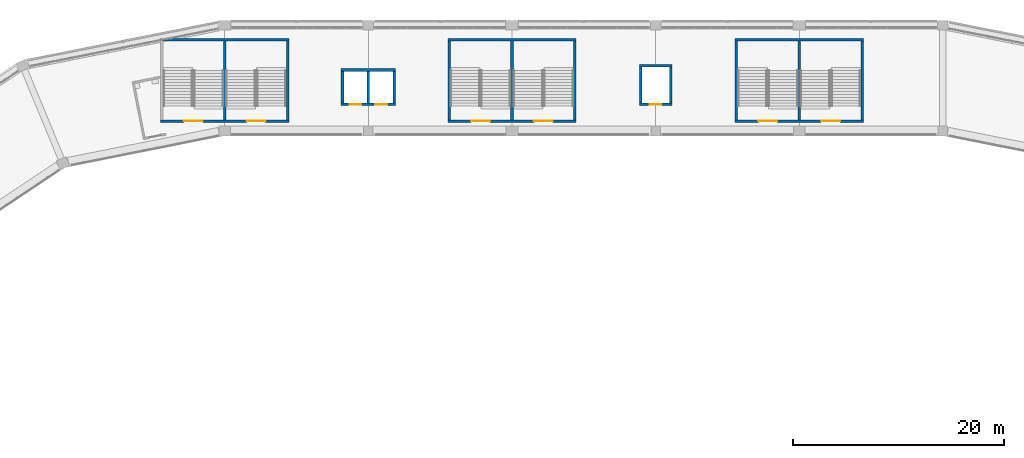
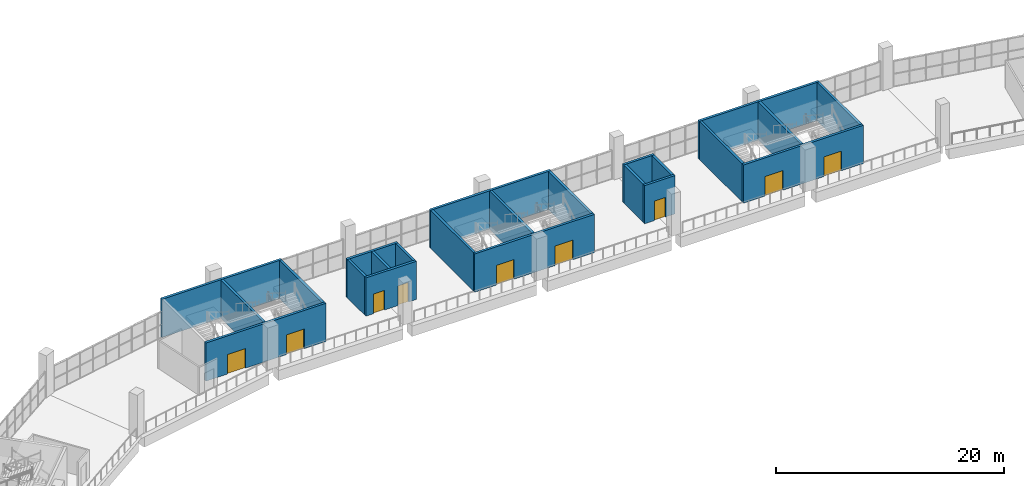
# One storey, part 67 of 177: 23 walls, 9 doors, 9 openings.
"""IFC4 building model written with IfcOpenShell, lengths in metres."""

from ifc_helpers import new_model, si_unit, direction, frame, frame_2d, origin, place, context, subcontext, project, spatial, rectangle, extrude, material, layer, layer_set, type_object, element, fill, save


model = new_model("IFC4")

# Units and contexts
model_context = context("Model", 3, precision=1e-05, world=origin(), true_north=direction((0.0, 1.0)))
body_context = subcontext(model_context, "Body", "Model", "MODEL_VIEW")
ifc_project = project(units=[si_unit("LENGTHUNIT", "METRE"), si_unit("AREAUNIT", "SQUARE_METRE"), si_unit("VOLUMEUNIT", "CUBIC_METRE"), si_unit("PLANEANGLEUNIT", "RADIAN"), si_unit("MASSUNIT", "GRAM", prefix="KILO")], contexts=[model_context])

# Site, building, storey
site_placement = place(None, origin())
site = spatial("IfcSite", under=ifc_project, at=site_placement, CompositionType="ELEMENT")
building_placement = place(site_placement, origin())
building = spatial("IfcBuilding", under=site, at=building_placement, Name="Ogive Plaza Stadium", CompositionType="ELEMENT")
storey_placement = place(building_placement, frame((0.0, 0.0, 18.0)))
storey = spatial("IfcBuildingStorey", under=building, at=storey_placement, Name="L04", CompositionType="ELEMENT", Elevation=18.0)

# Wall, openings, doors
ifc_material_1 = material(Name="Concrete C40/50", Category="concrete")
ifc_layer = layer(ifc_material_1, 0.25)
ifc_layer_set = layer_set([ifc_layer], Name="Concrete C40/50")
wall_type = type_object("IfcWallType", Name="Core wall 250", PredefinedType="SHEAR", material=ifc_layer_set)
wall_1_placement = place(storey_placement, frame((-27.925048828125, 93.425048828125, 0.0), z_axis=(0.0, 0.0, 1.0), x_axis=(-1.0, 0.0, 0.0)))
wall_1 = element("IfcWall", 1, at=wall_1_placement, inside=storey, type_object=wall_type, Name="Stair core R32 inner wall", PredefinedType="SHEAR", context=body_context, shape_type="SweptSolid", body=[
    extrude(rectangle(XDim=12.14990234375, YDim=0.25, at=frame_2d((6.074951171875, 0.0))), origin(), (0.0, 0.0, 1.0), 4.090087890625),
])
opening_1_placement = place(wall_1_placement, frame((2.199951171875, 0.0, 0.0)))
opening_1 = element("IfcOpeningElement", 2, at=opening_1_placement, cuts=wall_1, Name="Opening D0243", PredefinedType="OPENING", context=body_context, shape_type="SweptSolid", body=[
    extrude(rectangle(XDim=1.800048828125, YDim=2.10009765625, at=frame_2d((0.89990234375, 1.050048828125))), frame((0.0, 0.125, 0.0), z_axis=(0.0, -1.0, 0.0), x_axis=(1.0, 0.0, 0.0)), (0.0, 0.0, 1.0), 0.25),
])
opening_2_placement = place(wall_1_placement, frame((8.14990234375, 0.0, 0.0)))
opening_2 = element("IfcOpeningElement", 3, at=opening_2_placement, cuts=wall_1, Name="Opening D0244", PredefinedType="OPENING", context=body_context, shape_type="SweptSolid", body=[
    extrude(rectangle(XDim=1.800048828125, YDim=2.10009765625, at=frame_2d((0.89990234375, 1.050048828125))), frame((0.0, 0.125, 0.0), z_axis=(0.0, -1.0, 0.0), x_axis=(1.0, 0.0, 0.0)), (0.0, 0.0, 1.0), 0.25),
])
ifc_material_2 = material(Name="Steel ASTM A572 Grade 50", Category="steel")
door_type_1 = type_object("IfcDoorType", Name="Fire door FD90 pair 1800 x 2100", OperationType="DOUBLE_DOOR_SINGLE_SWING", PredefinedType="DOOR", material=ifc_material_2)
door_1_placement = place(opening_1_placement, origin())
door_1 = element("IfcDoor", 4, at=door_1_placement, inside=storey, type_object=door_type_1, Name="Exit stair R32A door L04", OperationType="DOUBLE_DOOR_SINGLE_SWING", OverallHeight=2.10009765625, OverallWidth=1.800048828125, PredefinedType="DOOR", context=body_context, shape_type="SweptSolid", body=[
    extrude(rectangle(XDim=1.800048828125, YDim=2.10009765625, at=frame_2d((0.89990234375, 1.050048828125))), frame((0.0, 0.02490234375, 0.0), z_axis=(0.0, -1.0, 0.0), x_axis=(1.0, 0.0, 0.0)), (0.0, 0.0, 1.0), 0.050048828125),
])
fill(opening_1, door_1)
door_2_placement = place(opening_2_placement, origin())
door_2 = element("IfcDoor", 5, at=door_2_placement, inside=storey, type_object=door_type_1, Name="Exit stair R32B door L04", OperationType="DOUBLE_DOOR_SINGLE_SWING", OverallHeight=2.10009765625, OverallWidth=1.800048828125, PredefinedType="DOOR", context=body_context, shape_type="SweptSolid", body=[
    extrude(rectangle(XDim=1.800048828125, YDim=2.10009765625, at=frame_2d((0.89990234375, 1.050048828125))), frame((0.0, 0.02490234375, 0.0), z_axis=(0.0, -1.0, 0.0), x_axis=(1.0, 0.0, 0.0)), (0.0, 0.0, 1.0), 0.050048828125),
])
fill(opening_2, door_2)

# Walls
wall_2_placement = place(storey_placement, frame((-27.925048828125, 101.135009765625, 0.0), z_axis=(0.0, 0.0, 1.0), x_axis=(-1.0, 0.0, 0.0)))
element("IfcWall", 6, at=wall_2_placement, inside=storey, type_object=wall_type, Name="Stair core R32 outer wall", PredefinedType="SHEAR", context=body_context, shape_type="SweptSolid", body=[
    extrude(rectangle(XDim=12.14990234375, YDim=0.25, at=frame_2d((6.074951171875, 0.0))), origin(), (0.0, 0.0, 1.0), 4.090087890625),
])
for number, where, z_axis, x_axis, name in (
    (7, (-28.050048828125, 93.550048828125, 0.0), (0.0, 0.0, 1.0), (0.0, 1.0, 0.0), "Stair core R32 side wall"),
    (8, (-34.0, 93.550048828125, 0.0), (0.0, 0.0, 1.0), (0.0, 1.0, 0.0), "Stair core R32 centre wall"),
):
    element("IfcWall", number, at=place(storey_placement, frame(where, z_axis=z_axis, x_axis=x_axis)), inside=storey, type_object=wall_type, Name=name, PredefinedType="SHEAR", context=body_context, shape_type="SweptSolid", body=[
        extrude(rectangle(XDim=7.4599609375, YDim=0.25, at=frame_2d((3.72998046875, 0.0))), origin(), (0.0, 0.0, 1.0), 4.090087890625),
    ])

# Wall, openings, doors
wall_3_placement = place(storey_placement, frame((-0.72509765625, 93.425048828125, 0.0), z_axis=(0.0, 0.0, 1.0), x_axis=(-1.0, 0.0, 0.0)))
wall_3 = element("IfcWall", 9, at=wall_3_placement, inside=storey, type_object=wall_type, Name="Stair core R34 inner wall", PredefinedType="SHEAR", context=body_context, shape_type="SweptSolid", body=[
    extrude(rectangle(XDim=12.14990234375, YDim=0.25, at=frame_2d((6.074951171875, 0.0))), origin(), (0.0, 0.0, 1.0), 4.090087890625),
])
opening_3_placement = place(wall_3_placement, frame((2.199951171875, 0.0, 0.0)))
opening_3 = element("IfcOpeningElement", 10, at=opening_3_placement, cuts=wall_3, Name="Opening D0255", PredefinedType="OPENING", context=body_context, shape_type="SweptSolid", body=[
    extrude(rectangle(XDim=1.800048828125, YDim=2.10009765625, at=frame_2d((0.89990234375, 1.050048828125))), frame((0.0, 0.125, 0.0), z_axis=(0.0, -1.0, 0.0), x_axis=(1.0, 0.0, 0.0)), (0.0, 0.0, 1.0), 0.25),
])
opening_4_placement = place(wall_3_placement, frame((8.14990234375, 0.0, 0.0)))
opening_4 = element("IfcOpeningElement", 11, at=opening_4_placement, cuts=wall_3, Name="Opening D0256", PredefinedType="OPENING", context=body_context, shape_type="SweptSolid", body=[
    extrude(rectangle(XDim=1.800048828125, YDim=2.10009765625, at=frame_2d((0.89990234375, 1.050048828125))), frame((0.0, 0.125, 0.0), z_axis=(0.0, -1.0, 0.0), x_axis=(1.0, 0.0, 0.0)), (0.0, 0.0, 1.0), 0.25),
])
door_3_placement = place(opening_3_placement, origin())
door_3 = element("IfcDoor", 12, at=door_3_placement, inside=storey, type_object=door_type_1, Name="Exit stair R34A door L04", OperationType="DOUBLE_DOOR_SINGLE_SWING", OverallHeight=2.10009765625, OverallWidth=1.800048828125, PredefinedType="DOOR", context=body_context, shape_type="SweptSolid", body=[
    extrude(rectangle(XDim=1.800048828125, YDim=2.10009765625, at=frame_2d((0.89990234375, 1.050048828125))), frame((0.0, 0.02490234375, 0.0), z_axis=(0.0, -1.0, 0.0), x_axis=(1.0, 0.0, 0.0)), (0.0, 0.0, 1.0), 0.050048828125),
])
fill(opening_3, door_3)
door_4_placement = place(opening_4_placement, origin())
door_4 = element("IfcDoor", 13, at=door_4_placement, inside=storey, type_object=door_type_1, Name="Exit stair R34B door L04", OperationType="DOUBLE_DOOR_SINGLE_SWING", OverallHeight=2.10009765625, OverallWidth=1.800048828125, PredefinedType="DOOR", context=body_context, shape_type="SweptSolid", body=[
    extrude(rectangle(XDim=1.800048828125, YDim=2.10009765625, at=frame_2d((0.89990234375, 1.050048828125))), frame((0.0, 0.02490234375, 0.0), z_axis=(0.0, -1.0, 0.0), x_axis=(1.0, 0.0, 0.0)), (0.0, 0.0, 1.0), 0.050048828125),
])
fill(opening_4, door_4)

# Walls
wall_4_placement = place(storey_placement, frame((-0.72509765625, 101.135009765625, 0.0), z_axis=(0.0, 0.0, 1.0), x_axis=(-1.0, 0.0, 0.0)))
element("IfcWall", 14, at=wall_4_placement, inside=storey, type_object=wall_type, Name="Stair core R34 outer wall", PredefinedType="SHEAR", context=body_context, shape_type="SweptSolid", body=[
    extrude(rectangle(XDim=12.14990234375, YDim=0.25, at=frame_2d((6.074951171875, 0.0))), origin(), (0.0, 0.0, 1.0), 4.090087890625),
])
for number, where, z_axis, x_axis, name in (
    (15, (-0.85009765625, 93.550048828125, 0.0), (0.0, 0.0, 1.0), (0.0, 1.0, 0.0), "Stair core R34 side wall"),
    (16, (-12.75, 93.550048828125, 0.0), (0.0, 0.0, 1.0), (0.0, 1.0, 0.0), "Stair core R34 side wall"),
    (17, (-6.800048828125, 93.550048828125, 0.0), (0.0, 0.0, 1.0), (0.0, 1.0, 0.0), "Stair core R34 centre wall"),
):
    element("IfcWall", number, at=place(storey_placement, frame(where, z_axis=z_axis, x_axis=x_axis)), inside=storey, type_object=wall_type, Name=name, PredefinedType="SHEAR", context=body_context, shape_type="SweptSolid", body=[
        extrude(rectangle(XDim=7.4599609375, YDim=0.25, at=frame_2d((3.72998046875, 0.0))), origin(), (0.0, 0.0, 1.0), 4.090087890625),
    ])

# Wall, openings, doors
wall_5_placement = place(storey_placement, frame((26.47509765625, 93.425048828125, 0.0), z_axis=(0.0, 0.0, 1.0), x_axis=(-1.0, 0.0, 0.0)))
wall_5 = element("IfcWall", 18, at=wall_5_placement, inside=storey, type_object=wall_type, Name="Stair core R36 inner wall", PredefinedType="SHEAR", context=body_context, shape_type="SweptSolid", body=[
    extrude(rectangle(XDim=12.150146484375, YDim=0.25, at=frame_2d((6.0751953125, 0.0))), origin(), (0.0, 0.0, 1.0), 4.090087890625),
])
opening_5_placement = place(wall_5_placement, frame((2.199951171875, 0.0, 0.0)))
opening_5 = element("IfcOpeningElement", 19, at=opening_5_placement, cuts=wall_5, Name="Opening D0269", PredefinedType="OPENING", context=body_context, shape_type="SweptSolid", body=[
    extrude(rectangle(XDim=1.800048828125, YDim=2.10009765625, at=frame_2d((0.89990234375, 1.050048828125))), frame((0.0, 0.125, 0.0), z_axis=(0.0, -1.0, 0.0), x_axis=(1.0, 0.0, 0.0)), (0.0, 0.0, 1.0), 0.25),
])
opening_6_placement = place(wall_5_placement, frame((8.14990234375, 0.0, 0.0)))
opening_6 = element("IfcOpeningElement", 20, at=opening_6_placement, cuts=wall_5, Name="Opening D0270", PredefinedType="OPENING", context=body_context, shape_type="SweptSolid", body=[
    extrude(rectangle(XDim=1.800048828125, YDim=2.10009765625, at=frame_2d((0.89990234375, 1.050048828125))), frame((0.0, 0.125, 0.0), z_axis=(0.0, -1.0, 0.0), x_axis=(1.0, 0.0, 0.0)), (0.0, 0.0, 1.0), 0.25),
])
door_5_placement = place(opening_5_placement, origin())
door_5 = element("IfcDoor", 21, at=door_5_placement, inside=storey, type_object=door_type_1, Name="Exit stair R36A door L04", OperationType="DOUBLE_DOOR_SINGLE_SWING", OverallHeight=2.10009765625, OverallWidth=1.800048828125, PredefinedType="DOOR", context=body_context, shape_type="SweptSolid", body=[
    extrude(rectangle(XDim=1.800048828125, YDim=2.10009765625, at=frame_2d((0.89990234375, 1.050048828125))), frame((0.0, 0.02490234375, 0.0), z_axis=(0.0, -1.0, 0.0), x_axis=(1.0, 0.0, 0.0)), (0.0, 0.0, 1.0), 0.050048828125),
])
fill(opening_5, door_5)
door_6_placement = place(opening_6_placement, origin())
door_6 = element("IfcDoor", 22, at=door_6_placement, inside=storey, type_object=door_type_1, Name="Exit stair R36B door L04", OperationType="DOUBLE_DOOR_SINGLE_SWING", OverallHeight=2.10009765625, OverallWidth=1.800048828125, PredefinedType="DOOR", context=body_context, shape_type="SweptSolid", body=[
    extrude(rectangle(XDim=1.800048828125, YDim=2.10009765625, at=frame_2d((0.89990234375, 1.050048828125))), frame((0.0, 0.02490234375, 0.0), z_axis=(0.0, -1.0, 0.0), x_axis=(1.0, 0.0, 0.0)), (0.0, 0.0, 1.0), 0.050048828125),
])
fill(opening_6, door_6)

# Walls
wall_6_placement = place(storey_placement, frame((26.47509765625, 101.135009765625, 0.0), z_axis=(0.0, 0.0, 1.0), x_axis=(-1.0, 0.0, 0.0)))
element("IfcWall", 23, at=wall_6_placement, inside=storey, type_object=wall_type, Name="Stair core R36 outer wall", PredefinedType="SHEAR", context=body_context, shape_type="SweptSolid", body=[
    extrude(rectangle(XDim=12.150146484375, YDim=0.25, at=frame_2d((6.0751953125, 0.0))), origin(), (0.0, 0.0, 1.0), 4.090087890625),
])
for number, where, z_axis, x_axis, name in (
    (24, (26.35009765625, 93.550048828125, 0.0), (0.0, 0.0, 1.0), (0.0, 1.0, 0.0), "Stair core R36 side wall"),
    (25, (14.449951171875, 93.550048828125, 0.0), (0.0, 0.0, 1.0), (0.0, 1.0, 0.0), "Stair core R36 side wall"),
    (26, (20.39990234375, 93.550048828125, 0.0), (0.0, 0.0, 1.0), (0.0, 1.0, 0.0), "Stair core R36 centre wall"),
):
    element("IfcWall", number, at=place(storey_placement, frame(where, z_axis=z_axis, x_axis=x_axis)), inside=storey, type_object=wall_type, Name=name, PredefinedType="SHEAR", context=body_context, shape_type="SweptSolid", body=[
        extrude(rectangle(XDim=7.4599609375, YDim=0.25, at=frame_2d((3.72998046875, 0.0))), origin(), (0.0, 0.0, 1.0), 4.090087890625),
    ])

# Wall, openings, doors
wall_7_placement = place(storey_placement, frame((-17.824951171875, 95.02490234375, 0.0), z_axis=(0.0, 0.0, 1.0), x_axis=(-1.0, 0.0, 0.0)))
wall_7 = element("IfcWall", 27, at=wall_7_placement, inside=storey, type_object=wall_type, Name="Lift core LP33 landing wall", PredefinedType="SHEAR", context=body_context, shape_type="SweptSolid", body=[
    extrude(rectangle(XDim=5.150146484375, YDim=0.25, at=frame_2d((2.5751953125, 0.0))), origin(), (0.0, 0.0, 1.0), 4.090087890625),
])
opening_7_placement = place(wall_7_placement, frame((0.800048828125, 0.0, 0.0)))
opening_7 = element("IfcOpeningElement", 28, at=opening_7_placement, cuts=wall_7, Name="Opening LD080", PredefinedType="OPENING", context=body_context, shape_type="SweptSolid", body=[
    extrude(rectangle(XDim=1.10009765625, YDim=2.10009765625, at=frame_2d((0.550048828125, 1.050048828125))), frame((0.0, 0.125, 0.0), z_axis=(0.0, -1.0, 0.0), x_axis=(1.0, 0.0, 0.0)), (0.0, 0.0, 1.0), 0.25),
])
opening_8_placement = place(wall_7_placement, frame((3.25, 0.0, 0.0)))
opening_8 = element("IfcOpeningElement", 29, at=opening_8_placement, cuts=wall_7, Name="Opening LD081", PredefinedType="OPENING", context=body_context, shape_type="SweptSolid", body=[
    extrude(rectangle(XDim=1.10009765625, YDim=2.10009765625, at=frame_2d((0.550048828125, 1.050048828125))), frame((0.0, 0.125, 0.0), z_axis=(0.0, -1.0, 0.0), x_axis=(1.0, 0.0, 0.0)), (0.0, 0.0, 1.0), 0.25),
])
ifc_material_3 = material(Name="Steel ASTM A572 Grade 50", Category="steel")
door_type_2 = type_object("IfcDoorType", Name="Landing door 1100 x 2100", OperationType="SLIDING_TO_LEFT", PredefinedType="DOOR", material=ifc_material_3)
door_7_placement = place(opening_7_placement, origin())
door_7 = element("IfcDoor", 30, at=door_7_placement, inside=storey, type_object=door_type_2, Name="Lift landing door LP33 L04", OperationType="SLIDING_TO_LEFT", OverallHeight=2.10009765625, OverallWidth=1.10009765625, PredefinedType="DOOR", context=body_context, shape_type="SweptSolid", body=[
    extrude(rectangle(XDim=1.10009765625, YDim=2.10009765625, at=frame_2d((0.550048828125, 1.050048828125))), frame((0.0, 0.02490234375, 0.0), z_axis=(0.0, -1.0, 0.0), x_axis=(1.0, 0.0, 0.0)), (0.0, 0.0, 1.0), 0.050048828125),
])
fill(opening_7, door_7)
door_8_placement = place(opening_8_placement, origin())
door_8 = element("IfcDoor", 31, at=door_8_placement, inside=storey, type_object=door_type_2, Name="Lift landing door LP33 L04", OperationType="SLIDING_TO_LEFT", OverallHeight=2.10009765625, OverallWidth=1.10009765625, PredefinedType="DOOR", context=body_context, shape_type="SweptSolid", body=[
    extrude(rectangle(XDim=1.10009765625, YDim=2.10009765625, at=frame_2d((0.550048828125, 1.050048828125))), frame((0.0, 0.02490234375, 0.0), z_axis=(0.0, -1.0, 0.0), x_axis=(1.0, 0.0, 0.0)), (0.0, 0.0, 1.0), 0.050048828125),
])
fill(opening_8, door_8)

# Walls
wall_8_placement = place(storey_placement, frame((-17.824951171875, 98.27490234375, 0.0), z_axis=(0.0, 0.0, 1.0), x_axis=(-1.0, 0.0, 0.0)))
element("IfcWall", 32, at=wall_8_placement, inside=storey, type_object=wall_type, Name="Lift core LP33 rear wall", PredefinedType="SHEAR", context=body_context, shape_type="SweptSolid", body=[
    extrude(rectangle(XDim=5.150146484375, YDim=0.25, at=frame_2d((2.5751953125, 0.0))), origin(), (0.0, 0.0, 1.0), 4.090087890625),
])
for number, where, z_axis, x_axis, name in (
    (33, (-17.949951171875, 95.14990234375, 0.0), (0.0, 0.0, 1.0), (0.0, 1.0, 0.0), "Lift core LP33 side wall"),
    (34, (-22.85009765625, 95.14990234375, 0.0), (0.0, 0.0, 1.0), (0.0, 1.0, 0.0), "Lift core LP33 side wall"),
    (35, (-20.39990234375, 95.14990234375, 0.0), (0.0, 0.0, 1.0), (0.0, 1.0, 0.0), "Lift core LP33 centre wall"),
):
    element("IfcWall", number, at=place(storey_placement, frame(where, z_axis=z_axis, x_axis=x_axis)), inside=storey, type_object=wall_type, Name=name, PredefinedType="SHEAR", context=body_context, shape_type="SweptSolid", body=[
        extrude(rectangle(XDim=3.0, YDim=0.25, at=frame_2d((1.5, 0.0))), origin(), (0.0, 0.0, 1.0), 4.090087890625),
    ])

# Wall, opening, door
wall_9_placement = place(storey_placement, frame((8.35009765625, 95.02490234375, 0.0), z_axis=(0.0, 0.0, 1.0), x_axis=(-1.0, 0.0, 0.0)))
wall_9 = element("IfcWall", 36, at=wall_9_placement, inside=storey, type_object=wall_type, Name="Lift core LS35 landing wall", PredefinedType="SHEAR", context=body_context, shape_type="SweptSolid", body=[
    extrude(rectangle(XDim=3.10009765625, YDim=0.25, at=frame_2d((1.550048828125, 0.0))), origin(), (0.0, 0.0, 1.0), 4.090087890625),
])
opening_9_placement = place(wall_9_placement, frame((1.0, 0.0, 0.0)))
opening_9 = element("IfcOpeningElement", 37, at=opening_9_placement, cuts=wall_9, Name="Opening LD089", PredefinedType="OPENING", context=body_context, shape_type="SweptSolid", body=[
    extrude(rectangle(XDim=1.10009765625, YDim=2.10009765625, at=frame_2d((0.550048828125, 1.050048828125))), frame((0.0, 0.125, 0.0), z_axis=(0.0, -1.0, 0.0), x_axis=(1.0, 0.0, 0.0)), (0.0, 0.0, 1.0), 0.25),
])
door_9_placement = place(opening_9_placement, origin())
door_9 = element("IfcDoor", 38, at=door_9_placement, inside=storey, type_object=door_type_2, Name="Lift landing door LS35 L04", OperationType="SLIDING_TO_LEFT", OverallHeight=2.10009765625, OverallWidth=1.10009765625, PredefinedType="DOOR", context=body_context, shape_type="SweptSolid", body=[
    extrude(rectangle(XDim=1.10009765625, YDim=2.10009765625, at=frame_2d((0.550048828125, 1.050048828125))), frame((0.0, 0.02490234375, 0.0), z_axis=(0.0, -1.0, 0.0), x_axis=(1.0, 0.0, 0.0)), (0.0, 0.0, 1.0), 0.050048828125),
])
fill(opening_9, door_9)

# Walls
wall_10_placement = place(storey_placement, frame((8.35009765625, 98.675048828125, 0.0), z_axis=(0.0, 0.0, 1.0), x_axis=(-1.0, 0.0, 0.0)))
element("IfcWall", 39, at=wall_10_placement, inside=storey, type_object=wall_type, Name="Lift core LS35 rear wall", PredefinedType="SHEAR", context=body_context, shape_type="SweptSolid", body=[
    extrude(rectangle(XDim=3.10009765625, YDim=0.25, at=frame_2d((1.550048828125, 0.0))), origin(), (0.0, 0.0, 1.0), 4.090087890625),
])
for number, where, z_axis, x_axis, name in (
    (40, (8.22509765625, 95.14990234375, 0.0), (0.0, 0.0, 1.0), (0.0, 1.0, 0.0), "Lift core LS35 side wall"),
    (41, (5.375, 95.14990234375, 0.0), (0.0, 0.0, 1.0), (0.0, 1.0, 0.0), "Lift core LS35 side wall"),
):
    element("IfcWall", number, at=place(storey_placement, frame(where, z_axis=z_axis, x_axis=x_axis)), inside=storey, type_object=wall_type, Name=name, PredefinedType="SHEAR", context=body_context, shape_type="SweptSolid", body=[
        extrude(rectangle(XDim=3.400146484375, YDim=0.25, at=frame_2d((1.7001953125, 0.0))), origin(), (0.0, 0.0, 1.0), 4.090087890625),
    ])

save(model, "model.ifc")
